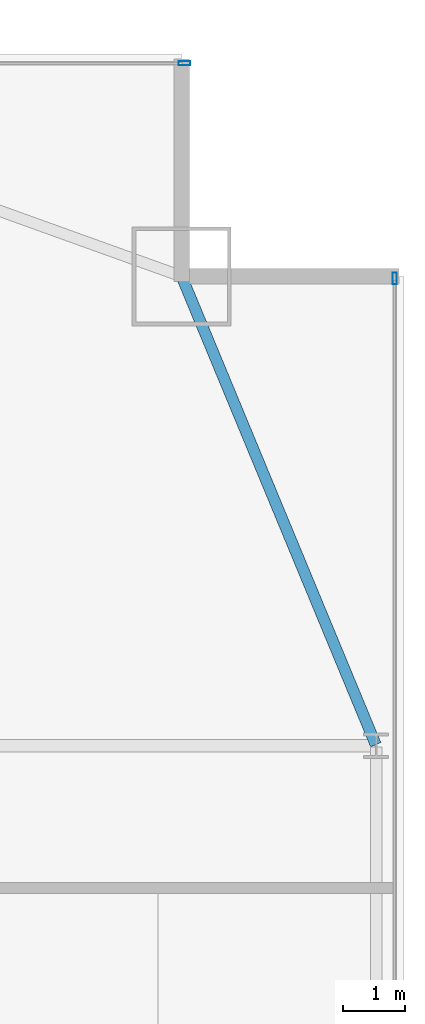
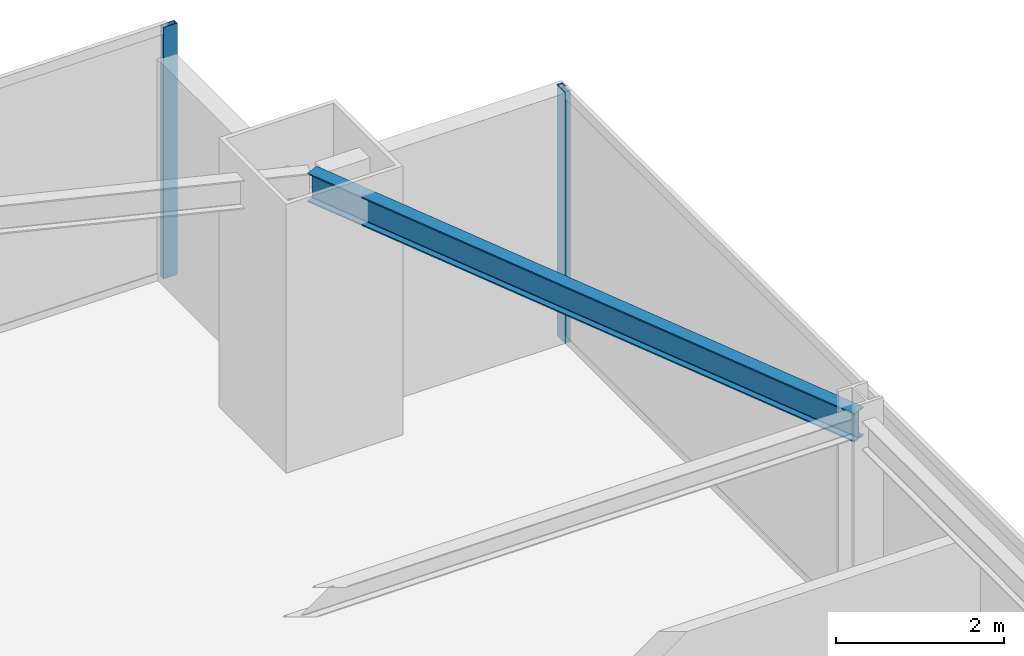
# One storey, part 23 of 31: 2 members, 1 beam, 2 elements without a shape of their own.
"""IFC4 building model written with IfcOpenShell, lengths in metres."""

from ifc_helpers import new_model, si_unit, direction, frame, origin, origin_2d, place, context, subcontext, project, spatial, hollow_rectangle, i_section, extrude, source, transform, mapped, material, layer, layer_set, material_profile, profile_set, type_object, type_shapes, element, aggregate, save


model = new_model("IFC4")

# Units and contexts
model_context = context("Model", 3, precision=1e-05, world=origin(), true_north=direction((0.0, 1.0)))
body_context = subcontext(model_context, "Body", "Model", "MODEL_VIEW")
ifc_project = project(units=[si_unit("LENGTHUNIT", "METRE"), si_unit("AREAUNIT", "SQUARE_METRE"), si_unit("VOLUMEUNIT", "CUBIC_METRE"), si_unit("PLANEANGLEUNIT", "RADIAN"), si_unit("MASSUNIT", "GRAM", prefix="KILO")], contexts=[model_context])

# Site, building, storey
site_placement = place(None, origin())
site = spatial("IfcSite", under=ifc_project, at=site_placement, CompositionType="ELEMENT")
building_placement = place(site_placement, origin())
building = spatial("IfcBuilding", under=site, at=building_placement, Name="Varnel Quay Broadcast Tower", CompositionType="ELEMENT")
storey_placement = place(building_placement, frame((0.0, 0.0, 51.0)))
storey = spatial("IfcBuildingStorey", under=building, at=storey_placement, Name="L11", CompositionType="ELEMENT", Elevation=51.0)

# Beam
ifc_material_1 = material(Name="Structural Steel CSA G40.21 350W", Category="steel")
ifc_material_profile_1 = material_profile(ifc_material_1, i_section(OverallWidth=0.180908203125, OverallDepth=0.4169921875, WebThickness=0.010986328125, FlangeThickness=0.018310546875, FilletRadius=0.011962890625, at=origin_2d()), Name="W410X85")
ifc_profile_set_1 = profile_set([ifc_material_profile_1], Name="Structural Steel CSA G40.21 350W")
beam_type = type_object("IfcBeamType", Name="Beam_W410X85", PredefinedType="SPANDREL", material=ifc_profile_set_1)
shared_shape_1 = source(origin(), body_context, "Body", "SweptSolid", [
    extrude(i_section(OverallWidth=0.180908203125, OverallDepth=0.4169921875, WebThickness=0.010986328125, FlangeThickness=0.018310546875, FilletRadius=0.011962890625, at=origin_2d()), origin(), (0.0, 0.0, 1.0), 8.186767578125),
])
type_shapes(beam_type, [shared_shape_1])
beam_placement = place(storey_placement, frame((65.542236328125, 35.618408203125, 3.44140625), z_axis=(-0.382874132092, 0.923800519038, 0.0), x_axis=(-0.923800519038, -0.382874132092, 0.0)))
element("IfcBeam", 1, at=beam_placement, inside=storey, type_object=beam_type, Name="L11 East Spandrel TC-E3-MC-NE", PredefinedType="SPANDREL", context=body_context, shape_type="MappedRepresentation", body=[
    mapped(shared_shape_1, transform((0.0, 0.0, 0.0), x_axis=(1.0, 0.0, 0.0), y_axis=(0.0, 1.0, 0.0), z_axis=(0.0, 0.0, 1.0), scale=1.0)),
])

# Curtain wall, member
ifc_material_2 = material(Name="Anodised Bronze Aluminium 6063-T6", Category="aluminium")
ifc_layer = layer(ifc_material_2, 0.18994140625, Name="Anodised Bronze Aluminium 6063-T6")
ifc_layer_set = layer_set([ifc_layer], Name="Anodised Bronze Aluminium 6063-T6")
curtain_wall_type = type_object("IfcCurtainWallType", Name="CW_LowerTower", PredefinedType="NOTDEFINED", material=ifc_layer_set)
curtain_wall_1_placement = place(storey_placement, origin())
curtain_wall_1 = element("IfcCurtainWall", 2, at=curtain_wall_1_placement, inside=storey, type_object=curtain_wall_type, Name="L11 East Unitised Curtain Wall", PredefinedType="NOTDEFINED")
ifc_material_profile_2 = material_profile(ifc_material_2, hollow_rectangle(XDim=0.070068359375, YDim=0.18994140625, WallThickness=0.00390625, at=origin_2d()), Name="ALU70X190X4")
ifc_profile_set_2 = profile_set([ifc_material_profile_2], Name="Anodised Bronze Aluminium 6063-T6")
member_type = type_object("IfcMemberType", Name="Mull_CWS-02", PredefinedType="MULLION", material=ifc_profile_set_2)
shared_shape_2 = source(origin(), body_context, "Body", "SweptSolid", [
    extrude(hollow_rectangle(XDim=0.070068359375, YDim=0.18994140625, WallThickness=0.00390625, at=origin_2d()), origin(), (0.0, 0.0, 1.0), 3.64990234375),
])
type_shapes(member_type, [shared_shape_2])
member_1_placement = place(storey_placement, frame((65.85009765625, 43.1650390625, 0.0), z_axis=(0.0, 0.0, 1.0), x_axis=(-1.0, 0.0, 0.0)))
member_1 = element("IfcMember", 3, at=member_1_placement, type_object=member_type, Name="CWS-02 mullion 4", PredefinedType="MULLION", context=body_context, shape_type="MappedRepresentation", body=[
    mapped(shared_shape_2, transform((0.0, 0.0, 0.0), x_axis=(1.0, 0.0, 0.0), y_axis=(0.0, 1.0, 0.0), z_axis=(0.0, 0.0, 1.0), scale=1.0)),
])
aggregate(curtain_wall_1, [member_1])

curtain_wall_2_placement = place(storey_placement, origin())
curtain_wall_2 = element("IfcCurtainWall", 4, at=curtain_wall_2_placement, inside=storey, type_object=curtain_wall_type, Name="L11 NE Wing Curtain Wall", PredefinedType="NOTDEFINED")
member_2_placement = place(storey_placement, frame((62.445068359375, 46.64990234375, 0.0), z_axis=(0.0, 0.0, 1.0), x_axis=(0.0, 1.0, 0.0)))
member_2 = element("IfcMember", 5, at=member_2_placement, type_object=member_type, Name="CWS-02 mullion 2", PredefinedType="MULLION", context=body_context, shape_type="MappedRepresentation", body=[
    mapped(shared_shape_2, transform((0.0, 0.0, 0.0), x_axis=(1.0, 0.0, 0.0), y_axis=(0.0, 1.0, 0.0), z_axis=(0.0, 0.0, 1.0), scale=1.0)),
])
aggregate(curtain_wall_2, [member_2])

save(model, "model.ifc")
